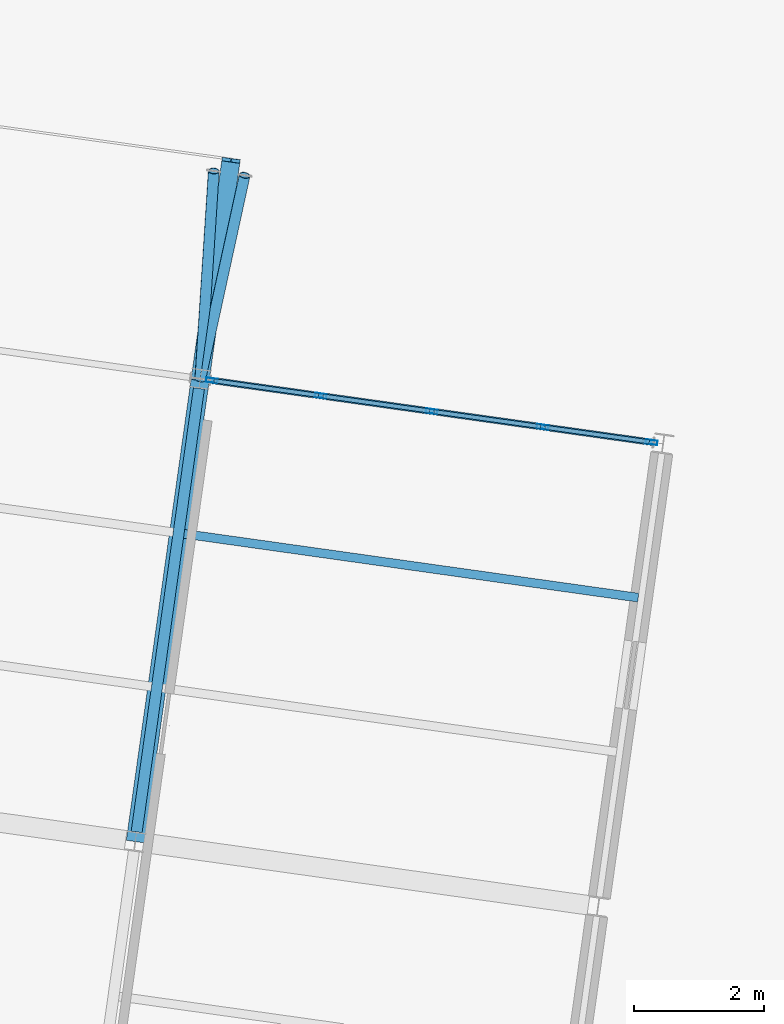
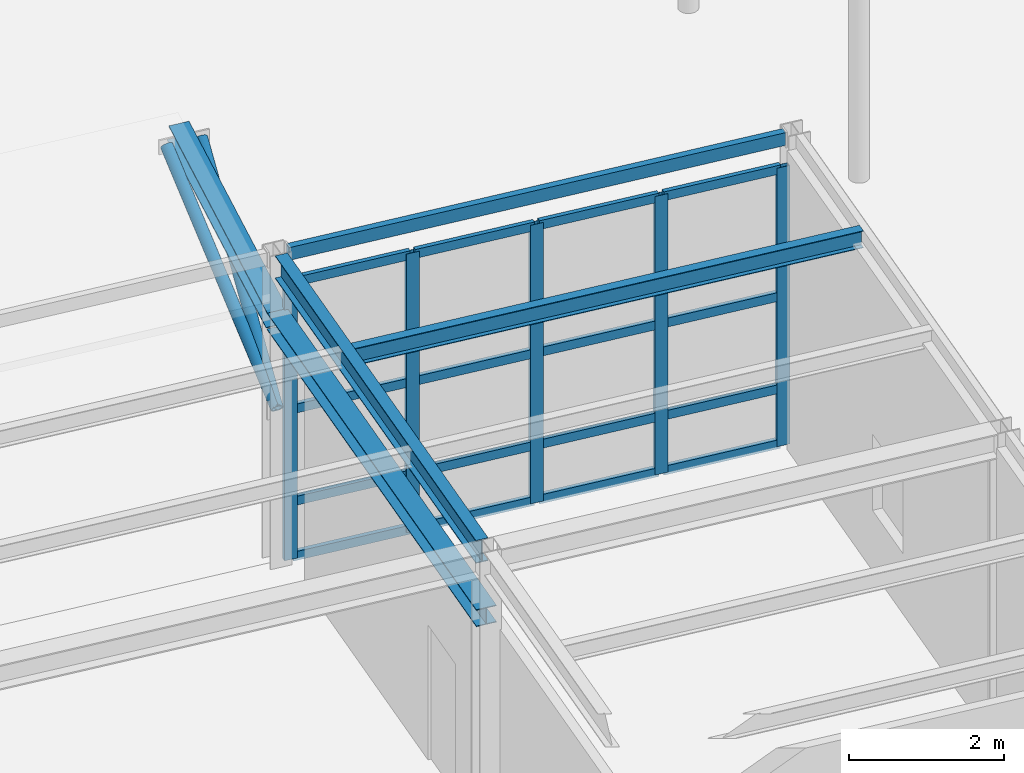
# One storey, part 30 of 57: 23 members, 5 beams, 1 element without a shape of its own.
"""IFC4 building model written with IfcOpenShell, lengths in metres."""

from ifc_helpers import new_model, si_unit, direction, frame, origin, origin_2d, place, context, subcontext, project, spatial, hollow_rectangle, hollow_circle, i_section, extrude, material, layer, layer_set, material_profile, profile_set, type_object, element, aggregate, save


model = new_model("IFC4")

# Units and contexts
model_context = context("Model", 3, precision=1e-05, world=origin(), true_north=direction((0.0, 1.0)))
body_context = subcontext(model_context, "Body", "Model", "MODEL_VIEW")
ifc_project = project(units=[si_unit("LENGTHUNIT", "METRE"), si_unit("AREAUNIT", "SQUARE_METRE"), si_unit("VOLUMEUNIT", "CUBIC_METRE"), si_unit("PLANEANGLEUNIT", "RADIAN"), si_unit("MASSUNIT", "GRAM", prefix="KILO")], contexts=[model_context])

# Site, building, storey
site_placement = place(None, origin())
site = spatial("IfcSite", under=ifc_project, at=site_placement, CompositionType="ELEMENT")
building_placement = place(site_placement, origin())
building = spatial("IfcBuilding", under=site, at=building_placement, Name="Kharisveld Research Institute", CompositionType="ELEMENT")
storey_placement = place(building_placement, origin())
storey = spatial("IfcBuildingStorey", under=building, at=storey_placement, Name="L00", CompositionType="ELEMENT", Elevation=0.0)

# Beams
ifc_material_1 = material(Name="Steel S355JR", Category="steel")
ifc_material_profile_1 = material_profile(ifc_material_1, i_section(OverallWidth=0.280029296875, OverallDepth=0.27001953125, WebThickness=0.008056640625, FlangeThickness=0.012939453125, at=origin_2d()))
ifc_profile_set_1 = profile_set([ifc_material_profile_1], Name="Steel S355JR")
beam_type_1 = type_object("IfcBeamType", Name="BM_ST_HEA280", PredefinedType="BEAM", material=ifc_profile_set_1)
beam_1_placement = place(storey_placement, frame((98.393798828125, 28.753662109375, 3.81005859375), z_axis=(0.139194563721, 0.99026505211, 0.0), x_axis=(-0.99026505211, 0.139194563721, 0.0)))
element("IfcBeam", 1, at=beam_1_placement, inside=storey, type_object=beam_type_1, Name="BM:V4:L00:CAN_BACK_3", PredefinedType="BEAM", context=body_context, shape_type="SweptSolid", body=[
    extrude(i_section(OverallWidth=0.280029296875, OverallDepth=0.27001953125, WebThickness=0.008056640625, FlangeThickness=0.012939453125, at=origin_2d()), origin(), (0.0, 0.0, 1.0), 7.199951171875),
])
beam_2_placement = place(storey_placement, frame((99.39599609375, 35.883544921875, 3.81005859375), z_axis=(0.135892229378, 0.967022567261, 0.215408115918), x_axis=(-0.990270034525, 0.139159112966, 0.0)))
element("IfcBeam", 2, at=beam_2_placement, inside=storey, type_object=beam_type_1, Name="BM:V4:L00:CAN_OUT_3", PredefinedType="BEAM", context=body_context, shape_type="SweptSolid", body=[
    extrude(i_section(OverallWidth=0.280029296875, OverallDepth=0.27001953125, WebThickness=0.008056640625, FlangeThickness=0.012939453125, at=origin_2d()), origin(), (0.0, 0.0, 1.0), 3.481689453125),
])
ifc_material_2 = material(Name="Steel S355JR", Category="steel")
ifc_material_profile_2 = material_profile(ifc_material_2, i_section(OverallWidth=0.169921875, OverallDepth=0.360107421875, WebThickness=0.008056640625, FlangeThickness=0.0126953125, at=origin_2d()))
ifc_profile_set_2 = profile_set([ifc_material_profile_2], Name="Steel S355JR")
beam_type_2 = type_object("IfcBeamType", Name="BM_ST_IPE360", PredefinedType="BEAM", material=ifc_profile_set_2)
beam_3_placement = place(storey_placement, frame((98.414794921875, 28.90234375, 4.739990234375), z_axis=(0.139162124603, 0.990269611306, 0.0), x_axis=(-0.990269611306, 0.139162124603, 0.0)))
element("IfcBeam", 3, at=beam_3_placement, inside=storey, type_object=beam_type_2, Name="BM:V4:L00:V3_2", PredefinedType="BEAM", context=body_context, shape_type="SweptSolid", body=[
    extrude(i_section(OverallWidth=0.169921875, OverallDepth=0.360107421875, WebThickness=0.008056640625, FlangeThickness=0.0126953125, at=origin_2d()), origin(), (0.0, 0.0, 1.0), 6.89990234375),
])

# Curtain wall, members
ifc_material_3 = material(Name="Thermally Broken Aluminium Curtain Wall", Category="aluminium")
ifc_layer = layer(ifc_material_3, 0.159912109375)
ifc_layer_set = layer_set([ifc_layer], Name="CW_SYS_04")
curtain_wall_type = type_object("IfcCurtainWallType", Name="CW_SYS_04", PredefinedType="NOTDEFINED", material=ifc_layer_set)
curtain_wall_placement = place(storey_placement, origin())
curtain_wall = element("IfcCurtainWall", 4, at=curtain_wall_placement, inside=storey, type_object=curtain_wall_type, Name="CW:V4:L00:N3", PredefinedType="NOTDEFINED")
ifc_material_4 = material(Name="Anodised Aluminium AW-6063-T6", Category="aluminium")
ifc_material_profile_3 = material_profile(ifc_material_4, hollow_rectangle(XDim=0.070068359375, YDim=0.179931640625, WallThickness=0.00439453125, at=origin_2d()))
ifc_profile_set_3 = profile_set([ifc_material_profile_3], Name="Anodised Aluminium AW-6063-T6")
member_type_1 = type_object("IfcMemberType", Name="CW_MUL_180", PredefinedType="MULLION", material=ifc_profile_set_3)
member_1_placement = place(storey_placement, frame((99.57421875, 35.858642578125, 0.0), z_axis=(0.0, 0.0, 1.0), x_axis=(0.139173089933, 0.990268070291, 0.0)))
member_1 = element("IfcMember", 5, at=member_1_placement, type_object=member_type_1, Name="CW-04 mullion 1", PredefinedType="MULLION", context=body_context, shape_type="SweptSolid", body=[
    extrude(hollow_rectangle(XDim=0.070068359375, YDim=0.179931640625, WallThickness=0.00439453125, at=origin_2d()), origin(), (0.0, 0.0, 1.0), 4.3798828125),
])
member_2_placement = place(storey_placement, frame((101.250244140625, 35.623046875, 0.0), z_axis=(0.0, 0.0, 1.0), x_axis=(0.139173089933, 0.990268070291, 0.0)))
member_2 = element("IfcMember", 6, at=member_2_placement, type_object=member_type_1, Name="CW-04 mullion 2", PredefinedType="MULLION", context=body_context, shape_type="SweptSolid", body=[
    extrude(hollow_rectangle(XDim=0.070068359375, YDim=0.179931640625, WallThickness=0.00439453125, at=origin_2d()), origin(), (0.0, 0.0, 1.0), 4.3798828125),
])
member_3_placement = place(storey_placement, frame((102.9609375, 35.382568359375, 0.0), z_axis=(0.0, 0.0, 1.0), x_axis=(0.139173089933, 0.990268070291, 0.0)))
member_3 = element("IfcMember", 7, at=member_3_placement, type_object=member_type_1, Name="CW-04 mullion 3", PredefinedType="MULLION", context=body_context, shape_type="SweptSolid", body=[
    extrude(hollow_rectangle(XDim=0.070068359375, YDim=0.179931640625, WallThickness=0.00439453125, at=origin_2d()), origin(), (0.0, 0.0, 1.0), 4.3798828125),
])
member_4_placement = place(storey_placement, frame((104.671630859375, 35.14208984375, 0.0), z_axis=(0.0, 0.0, 1.0), x_axis=(0.139173089933, 0.990268070291, 0.0)))
member_4 = element("IfcMember", 8, at=member_4_placement, type_object=member_type_1, Name="CW-04 mullion 4", PredefinedType="MULLION", context=body_context, shape_type="SweptSolid", body=[
    extrude(hollow_rectangle(XDim=0.070068359375, YDim=0.179931640625, WallThickness=0.00439453125, at=origin_2d()), origin(), (0.0, 0.0, 1.0), 4.3798828125),
])
member_5_placement = place(storey_placement, frame((106.34765625, 34.90673828125, 0.0), z_axis=(0.0, 0.0, 1.0), x_axis=(0.139173089933, 0.990268070291, 0.0)))
member_5 = element("IfcMember", 9, at=member_5_placement, type_object=member_type_1, Name="CW-04 mullion 5", PredefinedType="MULLION", context=body_context, shape_type="SweptSolid", body=[
    extrude(hollow_rectangle(XDim=0.070068359375, YDim=0.179931640625, WallThickness=0.00439453125, at=origin_2d()), origin(), (0.0, 0.0, 1.0), 4.3798828125),
])
ifc_material_5 = material(Name="Anodised Aluminium AW-6063-T6", Category="aluminium")
ifc_material_profile_4 = material_profile(ifc_material_5, hollow_rectangle(XDim=0.06494140625, YDim=0.139892578125, WallThickness=0.00390625, at=origin_2d()))
ifc_profile_set_4 = profile_set([ifc_material_profile_4], Name="Anodised Aluminium AW-6063-T6")
member_type_2 = type_object("IfcMemberType", Name="CW_TRN_140", PredefinedType="USERDEFINED", material=ifc_profile_set_4)
member_6_placement = place(storey_placement, frame((99.60888671875, 35.853759765625, 0.032470703125), z_axis=(0.990265978922, -0.13918796999, 0.0), x_axis=(0.13918796999, 0.990265978922, 0.0)))
member_6 = element("IfcMember", 10, at=member_6_placement, type_object=member_type_2, Name="CW-04 transom 1.1", ObjectType="TRANSOM", PredefinedType="USERDEFINED", context=body_context, shape_type="SweptSolid", body=[
    extrude(hollow_rectangle(XDim=0.06494140625, YDim=0.139892578125, WallThickness=0.00390625, at=origin_2d()), origin(), (0.0, 0.0, 1.0), 1.62255859375),
])
member_7_placement = place(storey_placement, frame((99.60888671875, 35.853759765625, 0.89990234375), z_axis=(0.990265978922, -0.13918796999, 0.0), x_axis=(0.13918796999, 0.990265978922, 0.0)))
member_7 = element("IfcMember", 11, at=member_7_placement, type_object=member_type_2, Name="CW-04 transom 1.2", ObjectType="TRANSOM", PredefinedType="USERDEFINED", context=body_context, shape_type="SweptSolid", body=[
    extrude(hollow_rectangle(XDim=0.06494140625, YDim=0.139892578125, WallThickness=0.00390625, at=origin_2d()), origin(), (0.0, 0.0, 1.0), 1.62255859375),
])
member_8_placement = place(storey_placement, frame((99.60888671875, 35.853759765625, 2.35009765625), z_axis=(0.990265978922, -0.13918796999, 0.0), x_axis=(0.13918796999, 0.990265978922, 0.0)))
member_8 = element("IfcMember", 12, at=member_8_placement, type_object=member_type_2, Name="CW-04 transom 1.3", ObjectType="TRANSOM", PredefinedType="USERDEFINED", context=body_context, shape_type="SweptSolid", body=[
    extrude(hollow_rectangle(XDim=0.06494140625, YDim=0.139892578125, WallThickness=0.00390625, at=origin_2d()), origin(), (0.0, 0.0, 1.0), 1.62255859375),
])
member_9_placement = place(storey_placement, frame((99.60888671875, 35.853759765625, 4.347412109375), z_axis=(0.990265978922, -0.13918796999, 0.0), x_axis=(0.13918796999, 0.990265978922, 0.0)))
member_9 = element("IfcMember", 13, at=member_9_placement, type_object=member_type_2, Name="CW-04 transom 1.4", ObjectType="TRANSOM", PredefinedType="USERDEFINED", context=body_context, shape_type="SweptSolid", body=[
    extrude(hollow_rectangle(XDim=0.06494140625, YDim=0.139892578125, WallThickness=0.00390625, at=origin_2d()), origin(), (0.0, 0.0, 1.0), 1.62255859375),
])
member_10_placement = place(storey_placement, frame((101.284912109375, 35.6181640625, 0.032470703125), z_axis=(0.990265145964, -0.139193896019, 0.0), x_axis=(0.139193896019, 0.990265145964, 0.0)))
member_10 = element("IfcMember", 14, at=member_10_placement, type_object=member_type_2, Name="CW-04 transom 2.1", ObjectType="TRANSOM", PredefinedType="USERDEFINED", context=body_context, shape_type="SweptSolid", body=[
    extrude(hollow_rectangle(XDim=0.06494140625, YDim=0.139892578125, WallThickness=0.00390625, at=origin_2d()), origin(), (0.0, 0.0, 1.0), 1.657470703125),
])
member_11_placement = place(storey_placement, frame((101.284912109375, 35.6181640625, 0.89990234375), z_axis=(0.990265145964, -0.139193896019, 0.0), x_axis=(0.139193896019, 0.990265145964, 0.0)))
member_11 = element("IfcMember", 15, at=member_11_placement, type_object=member_type_2, Name="CW-04 transom 2.2", ObjectType="TRANSOM", PredefinedType="USERDEFINED", context=body_context, shape_type="SweptSolid", body=[
    extrude(hollow_rectangle(XDim=0.06494140625, YDim=0.139892578125, WallThickness=0.00390625, at=origin_2d()), origin(), (0.0, 0.0, 1.0), 1.657470703125),
])
member_12_placement = place(storey_placement, frame((101.284912109375, 35.6181640625, 2.35009765625), z_axis=(0.990265145964, -0.139193896019, 0.0), x_axis=(0.139193896019, 0.990265145964, 0.0)))
member_12 = element("IfcMember", 16, at=member_12_placement, type_object=member_type_2, Name="CW-04 transom 2.3", ObjectType="TRANSOM", PredefinedType="USERDEFINED", context=body_context, shape_type="SweptSolid", body=[
    extrude(hollow_rectangle(XDim=0.06494140625, YDim=0.139892578125, WallThickness=0.00390625, at=origin_2d()), origin(), (0.0, 0.0, 1.0), 1.657470703125),
])
member_13_placement = place(storey_placement, frame((101.284912109375, 35.6181640625, 4.347412109375), z_axis=(0.990265145964, -0.139193896019, 0.0), x_axis=(0.139193896019, 0.990265145964, 0.0)))
member_13 = element("IfcMember", 17, at=member_13_placement, type_object=member_type_2, Name="CW-04 transom 2.4", ObjectType="TRANSOM", PredefinedType="USERDEFINED", context=body_context, shape_type="SweptSolid", body=[
    extrude(hollow_rectangle(XDim=0.06494140625, YDim=0.139892578125, WallThickness=0.00390625, at=origin_2d()), origin(), (0.0, 0.0, 1.0), 1.657470703125),
])
member_14_placement = place(storey_placement, frame((102.99560546875, 35.377685546875, 0.032470703125), z_axis=(0.990265145964, -0.139193896019, 0.0), x_axis=(0.139193896019, 0.990265145964, 0.0)))
member_14 = element("IfcMember", 18, at=member_14_placement, type_object=member_type_2, Name="CW-04 transom 3.1", ObjectType="TRANSOM", PredefinedType="USERDEFINED", context=body_context, shape_type="SweptSolid", body=[
    extrude(hollow_rectangle(XDim=0.06494140625, YDim=0.139892578125, WallThickness=0.00390625, at=origin_2d()), origin(), (0.0, 0.0, 1.0), 1.657470703125),
])
member_15_placement = place(storey_placement, frame((102.99560546875, 35.377685546875, 0.89990234375), z_axis=(0.990265145964, -0.139193896019, 0.0), x_axis=(0.139193896019, 0.990265145964, 0.0)))
member_15 = element("IfcMember", 19, at=member_15_placement, type_object=member_type_2, Name="CW-04 transom 3.2", ObjectType="TRANSOM", PredefinedType="USERDEFINED", context=body_context, shape_type="SweptSolid", body=[
    extrude(hollow_rectangle(XDim=0.06494140625, YDim=0.139892578125, WallThickness=0.00390625, at=origin_2d()), origin(), (0.0, 0.0, 1.0), 1.657470703125),
])
member_16_placement = place(storey_placement, frame((102.99560546875, 35.377685546875, 2.35009765625), z_axis=(0.990265145964, -0.139193896019, 0.0), x_axis=(0.139193896019, 0.990265145964, 0.0)))
member_16 = element("IfcMember", 20, at=member_16_placement, type_object=member_type_2, Name="CW-04 transom 3.3", ObjectType="TRANSOM", PredefinedType="USERDEFINED", context=body_context, shape_type="SweptSolid", body=[
    extrude(hollow_rectangle(XDim=0.06494140625, YDim=0.139892578125, WallThickness=0.00390625, at=origin_2d()), origin(), (0.0, 0.0, 1.0), 1.657470703125),
])
member_17_placement = place(storey_placement, frame((102.99560546875, 35.377685546875, 4.347412109375), z_axis=(0.990265145964, -0.139193896019, 0.0), x_axis=(0.139193896019, 0.990265145964, 0.0)))
member_17 = element("IfcMember", 21, at=member_17_placement, type_object=member_type_2, Name="CW-04 transom 3.4", ObjectType="TRANSOM", PredefinedType="USERDEFINED", context=body_context, shape_type="SweptSolid", body=[
    extrude(hollow_rectangle(XDim=0.06494140625, YDim=0.139892578125, WallThickness=0.00390625, at=origin_2d()), origin(), (0.0, 0.0, 1.0), 1.657470703125),
])
member_18_placement = place(storey_placement, frame((104.706298828125, 35.137451171875, 0.032470703125), z_axis=(0.990265978922, -0.13918796999, 0.0), x_axis=(0.13918796999, 0.990265978922, 0.0)))
member_18 = element("IfcMember", 22, at=member_18_placement, type_object=member_type_2, Name="CW-04 transom 4.1", ObjectType="TRANSOM", PredefinedType="USERDEFINED", context=body_context, shape_type="SweptSolid", body=[
    extrude(hollow_rectangle(XDim=0.06494140625, YDim=0.139892578125, WallThickness=0.00390625, at=origin_2d()), origin(), (0.0, 0.0, 1.0), 1.62255859375),
])
member_19_placement = place(storey_placement, frame((104.706298828125, 35.137451171875, 0.89990234375), z_axis=(0.990265978922, -0.13918796999, 0.0), x_axis=(0.13918796999, 0.990265978922, 0.0)))
member_19 = element("IfcMember", 23, at=member_19_placement, type_object=member_type_2, Name="CW-04 transom 4.2", ObjectType="TRANSOM", PredefinedType="USERDEFINED", context=body_context, shape_type="SweptSolid", body=[
    extrude(hollow_rectangle(XDim=0.06494140625, YDim=0.139892578125, WallThickness=0.00390625, at=origin_2d()), origin(), (0.0, 0.0, 1.0), 1.62255859375),
])
member_20_placement = place(storey_placement, frame((104.706298828125, 35.137451171875, 2.35009765625), z_axis=(0.990265978922, -0.13918796999, 0.0), x_axis=(0.13918796999, 0.990265978922, 0.0)))
member_20 = element("IfcMember", 24, at=member_20_placement, type_object=member_type_2, Name="CW-04 transom 4.3", ObjectType="TRANSOM", PredefinedType="USERDEFINED", context=body_context, shape_type="SweptSolid", body=[
    extrude(hollow_rectangle(XDim=0.06494140625, YDim=0.139892578125, WallThickness=0.00390625, at=origin_2d()), origin(), (0.0, 0.0, 1.0), 1.62255859375),
])
member_21_placement = place(storey_placement, frame((104.706298828125, 35.137451171875, 4.347412109375), z_axis=(0.990265978922, -0.13918796999, 0.0), x_axis=(0.13918796999, 0.990265978922, 0.0)))
member_21 = element("IfcMember", 25, at=member_21_placement, type_object=member_type_2, Name="CW-04 transom 4.4", ObjectType="TRANSOM", PredefinedType="USERDEFINED", context=body_context, shape_type="SweptSolid", body=[
    extrude(hollow_rectangle(XDim=0.06494140625, YDim=0.139892578125, WallThickness=0.00390625, at=origin_2d()), origin(), (0.0, 0.0, 1.0), 1.62255859375),
])
aggregate(curtain_wall, [member_1, member_2, member_3, member_4, member_5, member_6, member_7, member_8, member_9, member_10, member_11, member_12, member_13, member_14, member_15, member_16, member_17, member_18, member_19, member_20, member_21])

# Beams
ifc_material_6 = material(Name="Steel S355JR", Category="steel")
ifc_material_profile_5 = material_profile(ifc_material_6, i_section(OverallWidth=0.135009765625, OverallDepth=0.27001953125, WebThickness=0.006591796875, FlangeThickness=0.01025390625, at=origin_2d()))
ifc_profile_set_5 = profile_set([ifc_material_profile_5], Name="Steel S355JR")
beam_type_3 = type_object("IfcBeamType", Name="JS_ST_IPE270", PredefinedType="JOIST", material=ifc_profile_set_5)
beam_4_placement = place(storey_placement, frame((99.14599609375, 33.4951171875, 4.784912109375), z_axis=(0.990270348398, -0.139156879401, 0.0), x_axis=(0.139156879401, 0.990270348398, 0.0)))
element("IfcBeam", 26, at=beam_4_placement, inside=storey, type_object=beam_type_3, Name="BM:V4:L00:J_3_2_R2", PredefinedType="JOIST", context=body_context, shape_type="SweptSolid", body=[
    extrude(i_section(OverallWidth=0.135009765625, OverallDepth=0.27001953125, WebThickness=0.006591796875, FlangeThickness=0.01025390625, at=origin_2d()), origin(), (0.0, 0.0, 1.0), 7.065185546875),
])
ifc_material_7 = material(Name="Steel S355J2H", Category="steel")
ifc_material_profile_6 = material_profile(ifc_material_7, hollow_rectangle(XDim=0.10009765625, YDim=0.199951171875, WallThickness=0.008056640625, at=origin_2d()))
ifc_profile_set_6 = profile_set([ifc_material_profile_6], Name="Steel S355J2H")
beam_type_4 = type_object("IfcBeamType", Name="SP_ST_RHS200", PredefinedType="SPANDREL", material=ifc_profile_set_6)
beam_5_placement = place(storey_placement, frame((99.54443359375, 35.86279296875, 4.820068359375), z_axis=(0.990269611306, -0.139162124603, 0.0), x_axis=(0.139162124603, 0.990269611306, 0.0)))
element("IfcBeam", 27, at=beam_5_placement, inside=storey, type_object=beam_type_4, Name="BM:V4:L00:U3_3", PredefinedType="SPANDREL", context=body_context, shape_type="SweptSolid", body=[
    extrude(hollow_rectangle(XDim=0.10009765625, YDim=0.199951171875, WallThickness=0.008056640625, at=origin_2d()), origin(), (0.0, 0.0, 1.0), 6.89990234375),
])

# Members
ifc_material_8 = material(Name="Steel S355J2H", Category="steel")
ifc_material_profile_7 = material_profile(ifc_material_8, hollow_circle(Radius=0.084228515625, WallThickness=0.008056640625, at=origin_2d()))
ifc_profile_set_7 = profile_set([ifc_material_profile_7], Name="Steel S355J2H")
member_type_3 = type_object("IfcMemberType", Name="ST_CHS168", PredefinedType="STRUT", material=ifc_profile_set_7)
for number, where, z_axis, x_axis, name in (
    (28, (99.39599609375, 35.883544921875, 2.39990234375), (0.053954385029, 0.832611374612, 0.551223387751), (-0.997906978594, 0.064665772037, 0.0), "MEM:V4:L00:CAN_STRUT_3A"),
    (29, (99.39599609375, 35.883544921875, 2.39990234375), (0.177546075245, 0.815239272212, 0.55123708167), (-0.977096644593, 0.212796022341, 0.0), "MEM:V4:L00:CAN_STRUT_3B"),
):
    element("IfcMember", number, at=place(storey_placement, frame(where, z_axis=z_axis, x_axis=x_axis)), inside=storey, type_object=member_type_3, Name=name, PredefinedType="STRUT", context=body_context, shape_type="SweptSolid", body=[
        extrude(hollow_circle(Radius=0.084228515625, WallThickness=0.008056640625, at=origin_2d()), origin(), (0.0, 0.0, 1.0), 3.84619140625),
    ])

save(model, "model.ifc")
